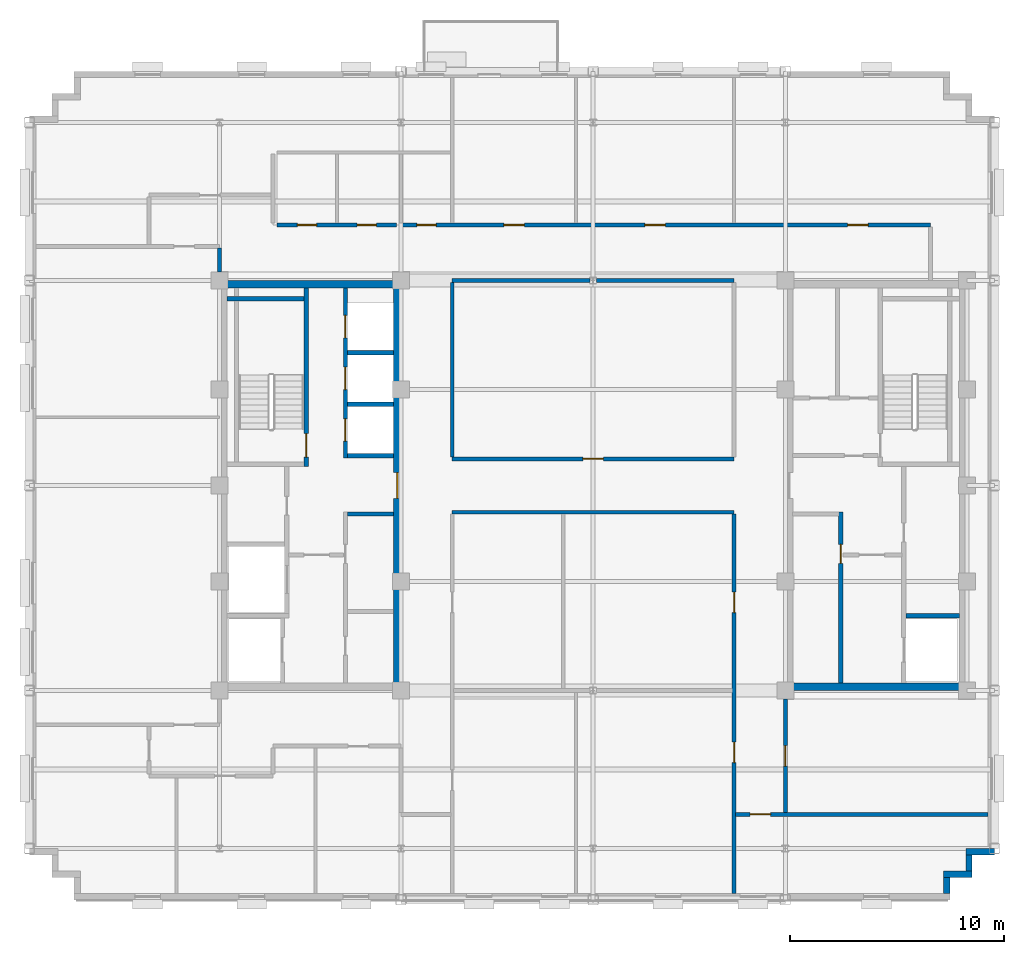
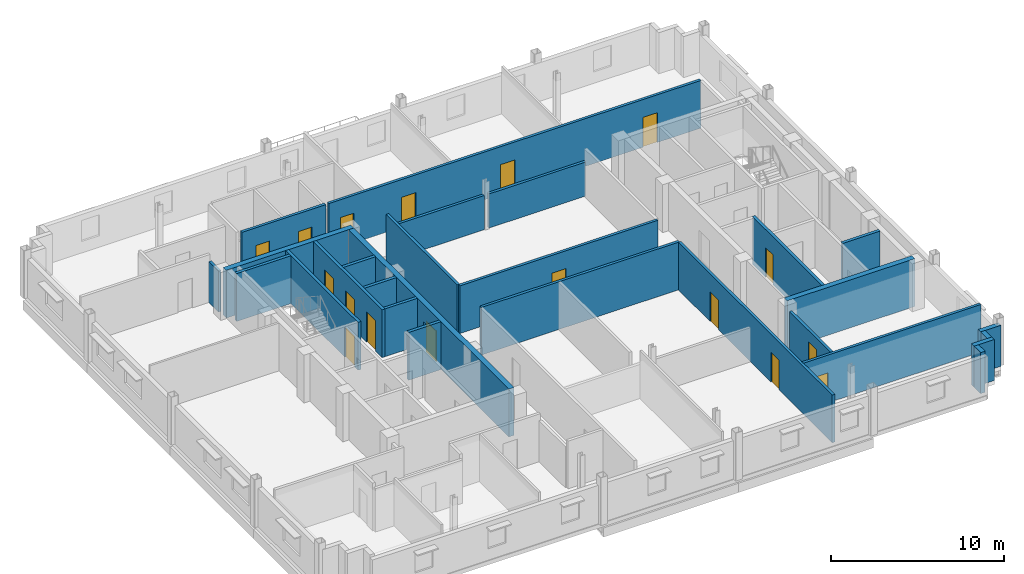
# One storey, part 7 of 14: 27 walls, 17 doors, 17 openings.
"""IFC4 building model written with IfcOpenShell, lengths in metres."""

from ifc_helpers import new_model, si_unit, direction, frame, frame_2d, origin, place, context, subcontext, project, spatial, rectangle, extrude, source, transform, mapped, material, layer, layer_set, type_object, type_shapes, element, fill, save


model = new_model("IFC4")

# Units and contexts
model_context = context("Model", 3, precision=1e-05, world=origin(), true_north=direction((0.0, 1.0)))
body_context = subcontext(model_context, "Body", "Model", "MODEL_VIEW")
ifc_project = project(units=[si_unit("LENGTHUNIT", "METRE"), si_unit("AREAUNIT", "SQUARE_METRE"), si_unit("VOLUMEUNIT", "CUBIC_METRE"), si_unit("PLANEANGLEUNIT", "RADIAN"), si_unit("MASSUNIT", "GRAM", prefix="KILO")], contexts=[model_context])

# Site, building, storey
site_placement = place(None, origin())
site = spatial("IfcSite", under=ifc_project, at=site_placement, CompositionType="ELEMENT")
building_placement = place(site_placement, origin())
building = spatial("IfcBuilding", under=site, at=building_placement, Name="Nuvemarco Arch Tower", CompositionType="ELEMENT")
storey_placement = place(building_placement, frame((0.0, 0.0, 238.35009765625)))
storey = spatial("IfcBuildingStorey", under=building, at=storey_placement, Name="L63", CompositionType="ELEMENT", Elevation=238.35009765625)

# Walls
ifc_material_1 = material(Name="Precast concrete C45/55", Category="concrete")
ifc_layer_1 = layer(ifc_material_1, 0.300048828125, Name="EW-HIGH-300")
ifc_layer_set_1 = layer_set([ifc_layer_1], Name="Precast concrete C45/55")
wall_type_1 = type_object("IfcWallType", Name="EW-HIGH-300", PredefinedType="STANDARD", material=ifc_layer_set_1)
wall_1_placement = place(storey_placement, frame((16.550048828125, -19.10400390625, 0.0), z_axis=(0.0, 0.0, 1.0), x_axis=(0.0, 1.0, 0.0)))
element("IfcWall", 1, at=wall_1_placement, inside=storey, type_object=wall_type_1, Name="L63 exterior precast facade wall 2", PredefinedType="STANDARD", context=body_context, shape_type="SweptSolid", body=[
    extrude(rectangle(XDim=0.758056640625, YDim=0.300048828125, at=frame_2d((0.37890625, 0.0))), origin(), (0.0, 0.0, 1.0), 2.891845703125),
])
wall_2_placement = place(storey_placement, frame((16.39990234375, -18.199951171875, 0.0), z_axis=(0.0, 0.0, 1.0), x_axis=(1.0, 0.0, 0.0)))
element("IfcWall", 2, at=wall_2_placement, inside=storey, type_object=wall_type_1, Name="L63 exterior precast facade wall 3", PredefinedType="STANDARD", context=body_context, shape_type="SweptSolid", body=[
    extrude(rectangle(XDim=1.35009765625, YDim=0.300048828125, at=frame_2d((0.675048828125, 0.0))), origin(), (0.0, 0.0, 1.0), 2.891845703125),
])
wall_3_placement = place(storey_placement, frame((17.60009765625, -18.053955078125, 0.0), z_axis=(0.0, 0.0, 1.0), x_axis=(0.0, 1.0, 0.0)))
element("IfcWall", 3, at=wall_3_placement, inside=storey, type_object=wall_type_1, Name="L63 exterior precast facade wall 4", PredefinedType="STANDARD", context=body_context, shape_type="SweptSolid", body=[
    extrude(rectangle(XDim=0.758056640625, YDim=0.300048828125, at=frame_2d((0.37890625, 0.0))), origin(), (0.0, 0.0, 1.0), 2.891845703125),
])
wall_4_placement = place(storey_placement, frame((17.449951171875, -17.14990234375, 0.0), z_axis=(0.0, 0.0, 1.0), x_axis=(1.0, 0.0, 0.0)))
element("IfcWall", 4, at=wall_4_placement, inside=storey, type_object=wall_type_1, Name="L63 exterior precast facade wall 5", PredefinedType="STANDARD", context=body_context, shape_type="SweptSolid", body=[
    extrude(rectangle(XDim=1.35009765625, YDim=0.300048828125, at=frame_2d((0.675048828125, 0.0))), origin(), (0.0, 0.0, 1.0), 2.891845703125),
])
ifc_material_2 = material(Name="Concrete C50/60", Category="concrete")
ifc_layer_2 = layer(ifc_material_2, 0.35009765625, Name="WL-CORE-350")
ifc_layer_set_2 = layer_set([ifc_layer_2], Name="Concrete C50/60")
wall_type_2 = type_object("IfcWallType", Name="WL-CORE-350", PredefinedType="SHEAR", material=ifc_layer_set_2)
wall_5_placement = place(storey_placement, frame((-17.5, 9.425048828125, 0.0), z_axis=(0.0, 0.0, 1.0), x_axis=(1.0, 0.0, 0.0)))
element("IfcWall", 5, at=wall_5_placement, inside=storey, type_object=wall_type_2, Name="L63 W-core shear wall N", PredefinedType="SHEAR", context=body_context, shape_type="SweptSolid", body=[
    extrude(rectangle(XDim=8.5, YDim=0.35009765625, at=frame_2d((4.25, 0.0))), origin(), (0.0, 0.0, 1.0), 3.369873046875),
])

# Wall, opening, door
wall_6_placement = place(storey_placement, frame((-9.175048828125, -9.2548828125, 0.0), z_axis=(0.0, 0.0, 1.0), x_axis=(0.0, 1.0, 0.0)))
wall_6 = element("IfcWall", 6, at=wall_6_placement, inside=storey, type_object=wall_type_2, Name="L63 W-core shear wall E", PredefinedType="SHEAR", context=body_context, shape_type="SweptSolid", body=[
    extrude(rectangle(XDim=18.509765625, YDim=0.35009765625, at=frame_2d((9.2548828125, 0.0))), origin(), (0.0, 0.0, 1.0), 3.369873046875),
])
opening_1_placement = place(wall_6_placement, frame((8.655029296875, 0.0, 0.0)))
opening_1 = element("IfcOpeningElement", 7, at=opening_1_placement, cuts=wall_6, Name="Opening FD-2", PredefinedType="OPENING", context=body_context, shape_type="SweptSolid", body=[
    extrude(rectangle(XDim=1.199951171875, YDim=2.14990234375, at=frame_2d((0.60009765625, 1.074951171875))), frame((0.0, 0.18505859375, 0.0), z_axis=(0.0, -1.0, 0.0), x_axis=(1.0, 0.0, 0.0)), (0.0, 0.0, 1.0), 0.3701171875),
])
ifc_material_3 = material(Name="Anodised steel fire door", Category="steel")
door_type_1 = type_object("IfcDoorType", Name="DR-FFLOB-FD", OperationType="NOTDEFINED", PredefinedType="DOOR", material=ifc_material_3)
shared_shape_1 = source(origin(), body_context, "Body", "SweptSolid", [
    extrude(rectangle(XDim=1.199951171875, YDim=2.14990234375, at=frame_2d((0.60009765625, 1.074951171875))), frame((0.0, 0.02490234375, 0.0), z_axis=(0.0, -1.0, 0.0), x_axis=(1.0, 0.0, 0.0)), (0.0, 0.0, 1.0), 0.050048828125),
])
type_shapes(door_type_1, [shared_shape_1])
door_1_placement = place(opening_1_placement, origin())
door_1 = element("IfcDoor", 8, at=door_1_placement, inside=storey, type_object=door_type_1, Name="L63 door FD-L63-WCORE-E", OperationType="SINGLE_SWING_RIGHT", OverallHeight=2.14990234375, OverallWidth=1.199951171875, PredefinedType="DOOR", context=body_context, shape_type="MappedRepresentation", body=[
    mapped(shared_shape_1, transform((0.0, 0.0, 0.0), scale=1.0)),
])
fill(opening_1, door_1)

# Wall
wall_7_placement = place(storey_placement, frame((9.0, -9.425048828125, 0.0), z_axis=(0.0, 0.0, 1.0), x_axis=(1.0, 0.0, 0.0)))
element("IfcWall", 9, at=wall_7_placement, inside=storey, type_object=wall_type_2, Name="L63 E-core shear wall S", PredefinedType="SHEAR", context=body_context, shape_type="SweptSolid", body=[
    extrude(rectangle(XDim=8.5, YDim=0.35009765625, at=frame_2d((4.25, 0.0))), origin(), (0.0, 0.0, 1.0), 3.369873046875),
])

# Wall, opening, door
ifc_material_4 = material(Name="Fire-rated gypsum drywall partition")
ifc_layer_3 = layer(ifc_material_4, 0.179931640625, Name="WL-CORR-180")
ifc_layer_set_3 = layer_set([ifc_layer_3], Name="Fire-rated gypsum drywall partition")
wall_type_3 = type_object("IfcWallType", Name="WL-CORR-180", PredefinedType="PARTITIONING", material=ifc_layer_set_3)
wall_8_placement = place(storey_placement, frame((6.666015625, -15.39990234375, 0.0), z_axis=(0.0, 0.0, 1.0), x_axis=(1.0, 0.0, 0.0)))
wall_8 = element("IfcWall", 10, at=wall_8_placement, inside=storey, type_object=wall_type_3, Name="L63 interior wall IW-L63-002", PredefinedType="PARTITIONING", context=body_context, shape_type="SweptSolid", body=[
    extrude(rectangle(XDim=11.833984375, YDim=0.179931640625, at=frame_2d((5.9169921875, 0.0))), origin(), (0.0, 0.0, 1.0), 3.35986328125),
])
opening_2_placement = place(wall_8_placement, frame((0.68701171875, 0.0, 0.0)))
opening_2 = element("IfcOpeningElement", 11, at=opening_2_placement, cuts=wall_8, Name="Opening FD-5", PredefinedType="OPENING", context=body_context, shape_type="SweptSolid", body=[
    extrude(rectangle(XDim=0.9599609375, YDim=2.10009765625, at=frame_2d((0.47998046875, 1.050048828125))), frame((0.0, 0.099853515625, 0.0), z_axis=(0.0, -1.0, 0.0), x_axis=(1.0, 0.0, 0.0)), (0.0, 0.0, 1.0), 0.199951171875),
])
ifc_material_5 = material(Name="Timber fire door", Category="wood")
door_type_2 = type_object("IfcDoorType", Name="DR-CORR-FD", OperationType="NOTDEFINED", PredefinedType="DOOR", material=ifc_material_5)
shared_shape_2 = source(origin(), body_context, "Body", "SweptSolid", [
    extrude(rectangle(XDim=0.9599609375, YDim=2.10009765625, at=frame_2d((0.47998046875, 1.050048828125))), frame((0.0, 0.02490234375, 0.0), z_axis=(0.0, -1.0, 0.0), x_axis=(1.0, 0.0, 0.0)), (0.0, 0.0, 1.0), 0.050048828125),
])
type_shapes(door_type_2, [shared_shape_2])
door_2_placement = place(opening_2_placement, origin())
door_2 = element("IfcDoor", 12, at=door_2_placement, inside=storey, type_object=door_type_2, Name="L63 door DR-L63-S_7", OperationType="SINGLE_SWING_RIGHT", OverallHeight=2.10009765625, OverallWidth=0.9599609375, PredefinedType="DOOR", context=body_context, shape_type="MappedRepresentation", body=[
    mapped(shared_shape_2, transform((0.0, 0.0, 0.0), scale=1.0)),
])
fill(opening_2, door_2)

# Wall
wall_9_placement = place(storey_placement, frame((-6.60009765625, -1.25, 0.0), z_axis=(0.0, 0.0, 1.0), x_axis=(1.0, 0.0, 0.0)))
element("IfcWall", 13, at=wall_9_placement, inside=storey, type_object=wall_type_3, Name="L63 interior wall IW-L63-008", PredefinedType="PARTITIONING", context=body_context, shape_type="SweptSolid", body=[
    extrude(rectangle(XDim=13.2001953125, YDim=0.179931640625, at=frame_2d((6.60009765625, 0.0))), origin(), (0.0, 0.0, 1.0), 3.35986328125),
])

# Wall, opening, door
wall_10_placement = place(storey_placement, frame((-6.60009765625, 1.25, 0.0), z_axis=(0.0, 0.0, 1.0), x_axis=(1.0, 0.0, 0.0)))
wall_10 = element("IfcWall", 14, at=wall_10_placement, inside=storey, type_object=wall_type_3, Name="L63 interior wall IW-L63-009", PredefinedType="PARTITIONING", context=body_context, shape_type="SweptSolid", body=[
    extrude(rectangle(XDim=13.2001953125, YDim=0.179931640625, at=frame_2d((6.60009765625, 0.0))), origin(), (0.0, 0.0, 1.0), 3.35986328125),
])
opening_3_placement = place(wall_10_placement, frame((6.1201171875, 0.0, 0.0)))
opening_3 = element("IfcOpeningElement", 15, at=opening_3_placement, cuts=wall_10, Name="Opening FD-5", PredefinedType="OPENING", context=body_context, shape_type="SweptSolid", body=[
    extrude(rectangle(XDim=0.9599609375, YDim=2.10009765625, at=frame_2d((0.47998046875, 1.050048828125))), frame((0.0, 0.099853515625, 0.0), z_axis=(0.0, -1.0, 0.0), x_axis=(1.0, 0.0, 0.0)), (0.0, 0.0, 1.0), 0.199951171875),
])
door_3_placement = place(opening_3_placement, origin())
door_3 = element("IfcDoor", 16, at=door_3_placement, inside=storey, type_object=door_type_2, Name="L63 door DR-L63-C_N1", OperationType="SINGLE_SWING_LEFT", OverallHeight=2.10009765625, OverallWidth=0.9599609375, PredefinedType="DOOR", context=body_context, shape_type="MappedRepresentation", body=[
    mapped(shared_shape_2, transform((0.0, 0.0, 0.0), scale=1.0)),
])
fill(opening_3, door_3)

# Walls
for number, where, z_axis, x_axis, name in (
    (17, (-6.60009765625, 9.60009765625, 0.0), (0.0, 0.0, 1.0), (1.0, 0.0, 0.0), "L63 interior wall IW-L63-011"),
    (18, (0.15087890625, 9.60009765625, 0.0), (0.0, 0.0, 1.0), (1.0, 0.0, 0.0), "L63 interior wall IW-L63-012"),
):
    element("IfcWall", number, at=place(storey_placement, frame(where, z_axis=z_axis, x_axis=x_axis)), inside=storey, type_object=wall_type_3, Name=name, PredefinedType="PARTITIONING", context=body_context, shape_type="SweptSolid", body=[
        extrude(rectangle(XDim=6.44921875, YDim=0.179931640625, at=frame_2d((3.224609375, 0.0))), origin(), (0.0, 0.0, 1.0), 2.40478515625),
    ])

# Wall, openings, doors
wall_11_placement = place(storey_placement, frame((-14.800048828125, 12.199951171875, 0.0), z_axis=(0.0, 0.0, 1.0), x_axis=(1.0, 0.0, 0.0)))
wall_11 = element("IfcWall", 19, at=wall_11_placement, inside=storey, type_object=wall_type_3, Name="L63 interior wall IW-L63-014", PredefinedType="PARTITIONING", context=body_context, shape_type="SweptSolid", body=[
    extrude(rectangle(XDim=5.60009765625, YDim=0.179931640625, at=frame_2d((2.800048828125, 0.0))), origin(), (0.0, 0.0, 1.0), 3.35986328125),
])
opening_4_placement = place(wall_11_placement, frame((0.949951171875, 0.0, 0.0)))
opening_4 = element("IfcOpeningElement", 20, at=opening_4_placement, cuts=wall_11, Name="Opening ID-3", PredefinedType="OPENING", context=body_context, shape_type="SweptSolid", body=[
    extrude(rectangle(XDim=0.89990234375, YDim=2.10009765625, at=frame_2d((0.449951171875, 1.050048828125))), frame((0.0, 0.099853515625, 0.0), z_axis=(0.0, -1.0, 0.0), x_axis=(1.0, 0.0, 0.0)), (0.0, 0.0, 1.0), 0.199951171875),
])
opening_5_placement = place(wall_11_placement, frame((3.75, 0.0, 0.0)))
opening_5 = element("IfcOpeningElement", 21, at=opening_5_placement, cuts=wall_11, Name="Opening ID-3", PredefinedType="OPENING", context=body_context, shape_type="SweptSolid", body=[
    extrude(rectangle(XDim=0.89990234375, YDim=2.10009765625, at=frame_2d((0.449951171875, 1.050048828125))), frame((0.0, 0.099853515625, 0.0), z_axis=(0.0, -1.0, 0.0), x_axis=(1.0, 0.0, 0.0)), (0.0, 0.0, 1.0), 0.199951171875),
])
ifc_material_6 = material(Name="Veneered oak timber fire door", Category="wood")
door_type_3 = type_object("IfcDoorType", Name="DR-WC-ACC", OperationType="NOTDEFINED", PredefinedType="DOOR", material=ifc_material_6)
shared_shape_3 = source(origin(), body_context, "Body", "SweptSolid", [
    extrude(rectangle(XDim=0.89990234375, YDim=2.10009765625, at=frame_2d((0.449951171875, 1.050048828125))), frame((0.0, 0.02490234375, 0.0), z_axis=(0.0, -1.0, 0.0), x_axis=(1.0, 0.0, 0.0)), (0.0, 0.0, 1.0), 0.050048828125),
])
type_shapes(door_type_3, [shared_shape_3])
door_4_placement = place(opening_4_placement, origin())
door_4 = element("IfcDoor", 22, at=door_4_placement, inside=storey, type_object=door_type_3, Name="L63 door DR-L63-WC_M", OperationType="SINGLE_SWING_LEFT", OverallHeight=2.10009765625, OverallWidth=0.89990234375, PredefinedType="DOOR", context=body_context, shape_type="MappedRepresentation", body=[
    mapped(shared_shape_3, transform((0.0, 0.0, 0.0), scale=1.0)),
])
fill(opening_4, door_4)
door_5_placement = place(opening_5_placement, origin())
door_5 = element("IfcDoor", 23, at=door_5_placement, inside=storey, type_object=door_type_3, Name="L63 door DR-L63-WC_F", OperationType="SINGLE_SWING_RIGHT", OverallHeight=2.10009765625, OverallWidth=0.89990234375, PredefinedType="DOOR", context=body_context, shape_type="MappedRepresentation", body=[
    mapped(shared_shape_3, transform((0.0, 0.0, 0.0), scale=1.0)),
])
fill(opening_5, door_5)

wall_12_placement = place(storey_placement, frame((-9.0, 12.199951171875, 0.0), z_axis=(0.0, 0.0, 1.0), x_axis=(1.0, 0.0, 0.0)))
wall_12 = element("IfcWall", 24, at=wall_12_placement, inside=storey, type_object=wall_type_3, Name="L63 interior wall IW-L63-015", PredefinedType="PARTITIONING", context=body_context, shape_type="SweptSolid", body=[
    extrude(rectangle(XDim=24.800048828125, YDim=0.179931640625, at=frame_2d((12.39990234375, 0.0))), origin(), (0.0, 0.0, 1.0), 3.35986328125),
])
opening_6_placement = place(wall_12_placement, frame((11.419921875, 0.0, 0.0)))
opening_6 = element("IfcOpeningElement", 25, at=opening_6_placement, cuts=wall_12, Name="Opening FD-5", PredefinedType="OPENING", context=body_context, shape_type="SweptSolid", body=[
    extrude(rectangle(XDim=0.9599609375, YDim=2.10009765625, at=frame_2d((0.47998046875, 1.050048828125))), frame((0.0, 0.099853515625, 0.0), z_axis=(0.0, -1.0, 0.0), x_axis=(1.0, 0.0, 0.0)), (0.0, 0.0, 1.0), 0.199951171875),
])
opening_7_placement = place(wall_12_placement, frame((20.919921875, 0.0, 0.0)))
opening_7 = element("IfcOpeningElement", 26, at=opening_7_placement, cuts=wall_12, Name="Opening FD-5", PredefinedType="OPENING", context=body_context, shape_type="SweptSolid", body=[
    extrude(rectangle(XDim=0.9599609375, YDim=2.10009765625, at=frame_2d((0.47998046875, 1.050048828125))), frame((0.0, 0.099853515625, 0.0), z_axis=(0.0, -1.0, 0.0), x_axis=(1.0, 0.0, 0.0)), (0.0, 0.0, 1.0), 0.199951171875),
])
opening_8_placement = place(wall_12_placement, frame((4.820068359375, 0.0, 0.0)))
opening_8 = element("IfcOpeningElement", 27, at=opening_8_placement, cuts=wall_12, Name="Opening FD-5", PredefinedType="OPENING", context=body_context, shape_type="SweptSolid", body=[
    extrude(rectangle(XDim=0.9599609375, YDim=2.10009765625, at=frame_2d((0.47998046875, 1.050048828125))), frame((0.0, 0.099853515625, 0.0), z_axis=(0.0, -1.0, 0.0), x_axis=(1.0, 0.0, 0.0)), (0.0, 0.0, 1.0), 0.199951171875),
])
opening_9_placement = place(wall_12_placement, frame((0.75, 0.0, 0.0)))
opening_9 = element("IfcOpeningElement", 28, at=opening_9_placement, cuts=wall_12, Name="Opening ID-3", PredefinedType="OPENING", context=body_context, shape_type="SweptSolid", body=[
    extrude(rectangle(XDim=0.89990234375, YDim=2.10009765625, at=frame_2d((0.449951171875, 1.050048828125))), frame((0.0, 0.099853515625, 0.0), z_axis=(0.0, -1.0, 0.0), x_axis=(1.0, 0.0, 0.0)), (0.0, 0.0, 1.0), 0.199951171875),
])
door_6_placement = place(opening_6_placement, origin())
door_6 = element("IfcDoor", 29, at=door_6_placement, inside=storey, type_object=door_type_2, Name="L63 door DR-L63-N_3", OperationType="SINGLE_SWING_RIGHT", OverallHeight=2.10009765625, OverallWidth=0.9599609375, PredefinedType="DOOR", context=body_context, shape_type="MappedRepresentation", body=[
    mapped(shared_shape_2, transform((0.0, 0.0, 0.0), scale=1.0)),
])
fill(opening_6, door_6)
door_7_placement = place(opening_7_placement, origin())
door_7 = element("IfcDoor", 30, at=door_7_placement, inside=storey, type_object=door_type_2, Name="L63 door DR-L63-N_4", OperationType="SINGLE_SWING_LEFT", OverallHeight=2.10009765625, OverallWidth=0.9599609375, PredefinedType="DOOR", context=body_context, shape_type="MappedRepresentation", body=[
    mapped(shared_shape_2, transform((0.0, 0.0, 0.0), scale=1.0)),
])
fill(opening_7, door_7)
door_8_placement = place(opening_8_placement, origin())
door_8 = element("IfcDoor", 31, at=door_8_placement, inside=storey, type_object=door_type_2, Name="L63 door DR-L63-N_2", OperationType="SINGLE_SWING_LEFT", OverallHeight=2.10009765625, OverallWidth=0.9599609375, PredefinedType="DOOR", context=body_context, shape_type="MappedRepresentation", body=[
    mapped(shared_shape_2, transform((0.0, 0.0, 0.0), scale=1.0)),
])
fill(opening_8, door_8)
door_9_placement = place(opening_9_placement, origin())
door_9 = element("IfcDoor", 32, at=door_9_placement, inside=storey, type_object=door_type_3, Name="L63 door DR-L63-WC_ACC", OperationType="SINGLE_SWING_LEFT", OverallHeight=2.10009765625, OverallWidth=0.89990234375, PredefinedType="DOOR", context=body_context, shape_type="MappedRepresentation", body=[
    mapped(shared_shape_3, transform((0.0, 0.0, 0.0), scale=1.0)),
])
fill(opening_9, door_9)

# Walls
wall_13_placement = place(storey_placement, frame((-17.5, 9.99609375, 0.0), z_axis=(0.0, 0.0, 1.0), x_axis=(0.0, 1.0, 0.0)))
element("IfcWall", 33, at=wall_13_placement, inside=storey, type_object=wall_type_3, Name="L63 interior wall IW-L63-022", PredefinedType="PARTITIONING", context=body_context, shape_type="SweptSolid", body=[
    extrude(rectangle(XDim=1.117919921875, YDim=0.179931640625, at=frame_2d((0.55908203125, 0.0))), origin(), (0.0, 0.0, 1.0), 2.891845703125),
])
wall_14_placement = place(storey_placement, frame((-6.60009765625, 1.3359375, 0.0), z_axis=(0.0, 0.0, 1.0), x_axis=(0.0, 1.0, 0.0)))
element("IfcWall", 34, at=wall_14_placement, inside=storey, type_object=wall_type_3, Name="L63 interior wall IW-L63-030", PredefinedType="PARTITIONING", context=body_context, shape_type="SweptSolid", body=[
    extrude(rectangle(XDim=8.177978515625, YDim=0.179931640625, at=frame_2d((4.0888671875, 0.0))), origin(), (0.0, 0.0, 1.0), 3.35986328125),
])

# Wall, openings, doors
wall_15_placement = place(storey_placement, frame((6.60009765625, -19.10009765625, 0.0), z_axis=(0.0, 0.0, 1.0), x_axis=(0.0, 1.0, 0.0)))
wall_15 = element("IfcWall", 35, at=wall_15_placement, inside=storey, type_object=wall_type_3, Name="L63 interior wall IW-L63-035", PredefinedType="PARTITIONING", context=body_context, shape_type="SweptSolid", body=[
    extrude(rectangle(XDim=17.76416015625, YDim=0.179931640625, at=frame_2d((8.882080078125, 0.0))), origin(), (0.0, 0.0, 1.0), 3.35986328125),
])
opening_10_placement = place(wall_15_placement, frame((13.152099609375, 0.0, 0.0)))
opening_10 = element("IfcOpeningElement", 36, at=opening_10_placement, cuts=wall_15, Name="Opening FD-5", PredefinedType="OPENING", context=body_context, shape_type="SweptSolid", body=[
    extrude(rectangle(XDim=0.9599609375, YDim=2.10009765625, at=frame_2d((0.47998046875, 1.050048828125))), frame((0.0, 0.099853515625, 0.0), z_axis=(0.0, -1.0, 0.0), x_axis=(1.0, 0.0, 0.0)), (0.0, 0.0, 1.0), 0.199951171875),
])
opening_11_placement = place(wall_15_placement, frame((6.1201171875, 0.0, 0.0)))
opening_11 = element("IfcOpeningElement", 37, at=opening_11_placement, cuts=wall_15, Name="Opening FD-5", PredefinedType="OPENING", context=body_context, shape_type="SweptSolid", body=[
    extrude(rectangle(XDim=0.9599609375, YDim=2.10009765625, at=frame_2d((0.47998046875, 1.050048828125))), frame((0.0, 0.099853515625, 0.0), z_axis=(0.0, -1.0, 0.0), x_axis=(1.0, 0.0, 0.0)), (0.0, 0.0, 1.0), 0.199951171875),
])
door_10_placement = place(opening_10_placement, origin())
door_10 = element("IfcDoor", 38, at=door_10_placement, inside=storey, type_object=door_type_2, Name="L63 door DR-L63-C_S2", OperationType="SINGLE_SWING_LEFT", OverallHeight=2.10009765625, OverallWidth=0.9599609375, PredefinedType="DOOR", context=body_context, shape_type="MappedRepresentation", body=[
    mapped(shared_shape_2, transform((0.0, 0.0, 0.0), scale=1.0)),
])
fill(opening_10, door_10)
door_11_placement = place(opening_11_placement, origin())
door_11 = element("IfcDoor", 39, at=door_11_placement, inside=storey, type_object=door_type_2, Name="L63 door DR-L63-S_5", OperationType="SINGLE_SWING_RIGHT", OverallHeight=2.10009765625, OverallWidth=0.9599609375, PredefinedType="DOOR", context=body_context, shape_type="MappedRepresentation", body=[
    mapped(shared_shape_2, transform((0.0, 0.0, 0.0), scale=1.0)),
])
fill(opening_11, door_11)

# Wall, opening, door
wall_16_placement = place(storey_placement, frame((9.0, -15.31396484375, 0.0), z_axis=(0.0, 0.0, 1.0), x_axis=(0.0, 1.0, 0.0)))
wall_16 = element("IfcWall", 40, at=wall_16_placement, inside=storey, type_object=wall_type_3, Name="L63 interior wall IW-L63-038", PredefinedType="PARTITIONING", context=body_context, shape_type="SweptSolid", body=[
    extrude(rectangle(XDim=5.31787109375, YDim=0.179931640625, at=frame_2d((2.658935546875, 0.0))), origin(), (0.0, 0.0, 1.0), 2.891845703125),
])
opening_12_placement = place(wall_16_placement, frame((2.178955078125, 0.0, 0.0)))
opening_12 = element("IfcOpeningElement", 41, at=opening_12_placement, cuts=wall_16, Name="Opening FD-5", PredefinedType="OPENING", context=body_context, shape_type="SweptSolid", body=[
    extrude(rectangle(XDim=0.9599609375, YDim=2.10009765625, at=frame_2d((0.47998046875, 1.050048828125))), frame((0.0, 0.099853515625, 0.0), z_axis=(0.0, -1.0, 0.0), x_axis=(1.0, 0.0, 0.0)), (0.0, 0.0, 1.0), 0.199951171875),
])
door_12_placement = place(opening_12_placement, origin())
door_12 = element("IfcDoor", 42, at=door_12_placement, inside=storey, type_object=door_type_2, Name="L63 door DR-L63-S_6", OperationType="SINGLE_SWING_LEFT", OverallHeight=2.10009765625, OverallWidth=0.9599609375, PredefinedType="DOOR", context=body_context, shape_type="MappedRepresentation", body=[
    mapped(shared_shape_2, transform((0.0, 0.0, 0.0), scale=1.0)),
])
fill(opening_12, door_12)

ifc_layer_4 = layer(ifc_material_2, 0.199951171875, Name="WL-SHAFT-220")
ifc_layer_set_4 = layer_set([ifc_layer_4], Name="Concrete C50/60")
wall_type_4 = type_object("IfcWallType", Name="WL-SHAFT-220", PredefinedType="SHEAR", material=ifc_layer_set_4)
wall_17_placement = place(storey_placement, frame((-13.43994140625, 0.89990234375, 0.0), z_axis=(0.0, 0.0, 1.0), x_axis=(0.0, 1.0, 0.0)))
wall_17 = element("IfcWall", 43, at=wall_17_placement, inside=storey, type_object=wall_type_4, Name="L63 structural shaft wall SW-L63-W-ST1E", PredefinedType="SHEAR", context=body_context, shape_type="SweptSolid", body=[
    extrude(rectangle(XDim=8.35498046875, YDim=0.199951171875, at=frame_2d((4.177490234375, 0.0))), origin(), (0.0, 0.0, 1.0), 3.369873046875),
])
opening_13_placement = place(wall_17_placement, frame((1.530029296875, 0.0, 0.0), z_axis=(0.0, 0.0, 1.0), x_axis=(-1.0, 0.0, 0.0)))
opening_13 = element("IfcOpeningElement", 44, at=opening_13_placement, cuts=wall_17, Name="Opening FD-1", PredefinedType="OPENING", context=body_context, shape_type="SweptSolid", body=[
    extrude(rectangle(XDim=1.10009765625, YDim=2.14990234375, at=frame_2d((0.550048828125, 1.074951171875))), frame((0.0, 0.10986328125, 0.0), z_axis=(0.0, -1.0, 0.0), x_axis=(1.0, 0.0, 0.0)), (0.0, 0.0, 1.0), 0.219970703125),
])
door_type_4 = type_object("IfcDoorType", Name="DR-STAIR-FD", OperationType="NOTDEFINED", PredefinedType="DOOR", material=ifc_material_3)
shared_shape_4 = source(origin(), body_context, "Body", "SweptSolid", [
    extrude(rectangle(XDim=1.10009765625, YDim=2.14990234375, at=frame_2d((0.550048828125, 1.074951171875))), frame((0.0, 0.02490234375, 0.0), z_axis=(0.0, -1.0, 0.0), x_axis=(1.0, 0.0, 0.0)), (0.0, 0.0, 1.0), 0.050048828125),
])
type_shapes(door_type_4, [shared_shape_4])
door_13_placement = place(opening_13_placement, origin())
door_13 = element("IfcDoor", 45, at=door_13_placement, inside=storey, type_object=door_type_4, Name="L63 door FD-L63-ST1", OperationType="SINGLE_SWING_LEFT", OverallHeight=2.14990234375, OverallWidth=1.10009765625, PredefinedType="DOOR", context=body_context, shape_type="MappedRepresentation", body=[
    mapped(shared_shape_4, transform((0.0, 0.0, 0.0), scale=1.0)),
])
fill(opening_13, door_13)

# Walls
wall_18_placement = place(storey_placement, frame((-17.155029296875, 8.75, 0.0), z_axis=(0.0, 0.0, 1.0), x_axis=(1.0, 0.0, 0.0)))
element("IfcWall", 46, at=wall_18_placement, inside=storey, type_object=wall_type_4, Name="L63 structural shaft wall SW-L63-W-ST1N", PredefinedType="SHEAR", context=body_context, shape_type="SweptSolid", body=[
    extrude(rectangle(XDim=3.6201171875, YDim=0.199951171875, at=frame_2d((1.81005859375, 0.0))), origin(), (0.0, 0.0, 1.0), 3.369873046875),
])
wall_19_placement = place(storey_placement, frame((-11.5048828125, -1.330078125, 0.0), z_axis=(0.0, 0.0, 1.0), x_axis=(1.0, 0.0, 0.0)))
element("IfcWall", 47, at=wall_19_placement, inside=storey, type_object=wall_type_4, Name="L63 structural shaft wall SW-L63-W-PLTOP", PredefinedType="SHEAR", context=body_context, shape_type="SweptSolid", body=[
    extrude(rectangle(XDim=2.159912109375, YDim=0.199951171875, at=frame_2d((1.080078125, 0.0))), origin(), (0.0, 0.0, 1.0), 3.369873046875),
])

# Wall, openings, doors
wall_20_placement = place(storey_placement, frame((-11.60009765625, 1.300048828125, 0.0), z_axis=(0.0, 0.0, 1.0), x_axis=(0.0, 1.0, 0.0)))
wall_20 = element("IfcWall", 48, at=wall_20_placement, inside=storey, type_object=wall_type_4, Name="L63 structural shaft wall SW-L63-W-PHW", PredefinedType="SHEAR", context=body_context, shape_type="SweptSolid", body=[
    extrude(rectangle(XDim=7.954833984375, YDim=0.199951171875, at=frame_2d((3.9775390625, 0.0))), origin(), (0.0, 0.0, 1.0), 3.369873046875),
])
opening_14_placement = place(wall_20_placement, frame((0.77490234375, 0.0, 0.0)))
opening_14 = element("IfcOpeningElement", 49, at=opening_14_placement, cuts=wall_20, Name="Opening LD-1", PredefinedType="OPENING", context=body_context, shape_type="SweptSolid", body=[
    extrude(rectangle(XDim=1.050048828125, YDim=2.14990234375, at=frame_2d((0.52490234375, 1.074951171875))), frame((0.0, 0.10986328125, 0.0), z_axis=(0.0, -1.0, 0.0), x_axis=(1.0, 0.0, 0.0)), (0.0, 0.0, 1.0), 0.219970703125),
])
opening_15_placement = place(wall_20_placement, frame((3.195068359375, 0.0, 0.0)))
opening_15 = element("IfcOpeningElement", 50, at=opening_15_placement, cuts=wall_20, Name="Opening LD-1", PredefinedType="OPENING", context=body_context, shape_type="SweptSolid", body=[
    extrude(rectangle(XDim=1.050048828125, YDim=2.14990234375, at=frame_2d((0.52490234375, 1.074951171875))), frame((0.0, 0.10986328125, 0.0), z_axis=(0.0, -1.0, 0.0), x_axis=(1.0, 0.0, 0.0)), (0.0, 0.0, 1.0), 0.219970703125),
])
opening_16_placement = place(wall_20_placement, frame((5.614990234375, 0.0, 0.0)))
opening_16 = element("IfcOpeningElement", 51, at=opening_16_placement, cuts=wall_20, Name="Opening LD-1", PredefinedType="OPENING", context=body_context, shape_type="SweptSolid", body=[
    extrude(rectangle(XDim=1.050048828125, YDim=2.14990234375, at=frame_2d((0.52490234375, 1.074951171875))), frame((0.0, 0.10986328125, 0.0), z_axis=(0.0, -1.0, 0.0), x_axis=(1.0, 0.0, 0.0)), (0.0, 0.0, 1.0), 0.219970703125),
])
ifc_material_7 = material(Name="Stainless steel lift door", Category="steel")
door_type_5 = type_object("IfcDoorType", Name="DR-LIFT-PASS", OperationType="DOUBLE_DOOR_SLIDING", PredefinedType="DOOR", material=ifc_material_7)
shared_shape_5 = source(origin(), body_context, "Body", "SweptSolid", [
    extrude(rectangle(XDim=1.050048828125, YDim=2.14990234375, at=frame_2d((0.52490234375, 1.074951171875))), frame((0.0, 0.02490234375, 0.0), z_axis=(0.0, -1.0, 0.0), x_axis=(1.0, 0.0, 0.0)), (0.0, 0.0, 1.0), 0.050048828125),
])
type_shapes(door_type_5, [shared_shape_5])
door_14_placement = place(opening_14_placement, origin())
door_14 = element("IfcDoor", 52, at=door_14_placement, inside=storey, type_object=door_type_5, Name="L63 Lift landing sliding door PH-1", OperationType="DOUBLE_DOOR_SLIDING", OverallHeight=2.14990234375, OverallWidth=1.050048828125, PredefinedType="DOOR", context=body_context, shape_type="MappedRepresentation", body=[
    mapped(shared_shape_5, transform((0.0, 0.0, 0.0), scale=1.0)),
])
fill(opening_14, door_14)
door_15_placement = place(opening_15_placement, origin())
door_15 = element("IfcDoor", 53, at=door_15_placement, inside=storey, type_object=door_type_5, Name="L63 Lift landing sliding door PH-2", OperationType="DOUBLE_DOOR_SLIDING", OverallHeight=2.14990234375, OverallWidth=1.050048828125, PredefinedType="DOOR", context=body_context, shape_type="MappedRepresentation", body=[
    mapped(shared_shape_5, transform((0.0, 0.0, 0.0), scale=1.0)),
])
fill(opening_15, door_15)
door_16_placement = place(opening_16_placement, origin())
door_16 = element("IfcDoor", 54, at=door_16_placement, inside=storey, type_object=door_type_5, Name="L63 Lift landing sliding door PH-3", OperationType="DOUBLE_DOOR_SLIDING", OverallHeight=2.14990234375, OverallWidth=1.050048828125, PredefinedType="DOOR", context=body_context, shape_type="MappedRepresentation", body=[
    mapped(shared_shape_5, transform((0.0, 0.0, 0.0), scale=1.0)),
])
fill(opening_16, door_16)

# Walls
for number, where, z_axis, x_axis, name in (
    (55, (-11.5048828125, 1.39990234375, 0.0), (0.0, 0.0, 1.0), (1.0, 0.0, 0.0), "L63 structural shaft wall SW-L63-W-PHD1"),
    (56, (-11.5048828125, 3.800048828125, 0.0), (0.0, 0.0, 1.0), (1.0, 0.0, 0.0), "L63 structural shaft wall SW-L63-W-PHD2"),
    (57, (-11.5048828125, 6.219970703125, 0.0), (0.0, 0.0, 1.0), (1.0, 0.0, 0.0), "L63 structural shaft wall SW-L63-W-PHD3"),
):
    element("IfcWall", number, at=place(storey_placement, frame(where, z_axis=z_axis, x_axis=x_axis)), inside=storey, type_object=wall_type_4, Name=name, PredefinedType="SHEAR", context=body_context, shape_type="SweptSolid", body=[
        extrude(rectangle(XDim=2.159912109375, YDim=0.199951171875, at=frame_2d((1.080078125, 0.0))), origin(), (0.0, 0.0, 1.0), 3.369873046875),
    ])
wall_21_placement = place(storey_placement, frame((14.64501953125, -6.10009765625, 0.0), z_axis=(0.0, 0.0, 1.0), x_axis=(1.0, 0.0, 0.0)))
element("IfcWall", 58, at=wall_21_placement, inside=storey, type_object=wall_type_4, Name="L63 structural shaft wall SW-L63-E-SH1", PredefinedType="SHEAR", context=body_context, shape_type="SweptSolid", body=[
    extrude(rectangle(XDim=2.510009765625, YDim=0.199951171875, at=frame_2d((1.2548828125, 0.0))), origin(), (0.0, 0.0, 1.0), 3.369873046875),
])

# Wall, opening, door
wall_22_placement = place(storey_placement, frame((11.60009765625, -9.2548828125, 0.0), z_axis=(0.0, 0.0, 1.0), x_axis=(0.0, 1.0, 0.0)))
wall_22 = element("IfcWall", 59, at=wall_22_placement, inside=storey, type_object=wall_type_4, Name="L63 structural shaft wall SW-L63-E-PME", PredefinedType="SHEAR", context=body_context, shape_type="SweptSolid", body=[
    extrude(rectangle(XDim=8.02490234375, YDim=0.199951171875, at=frame_2d((4.012451171875, 0.0))), origin(), (0.0, 0.0, 1.0), 3.369873046875),
])
opening_17_placement = place(wall_22_placement, frame((5.614990234375, 0.0, 0.0)))
opening_17 = element("IfcOpeningElement", 60, at=opening_17_placement, cuts=wall_22, Name="Opening FD-4", PredefinedType="OPENING", context=body_context, shape_type="SweptSolid", body=[
    extrude(rectangle(XDim=0.8798828125, YDim=2.10009765625, at=frame_2d((0.43994140625, 1.050048828125))), frame((0.0, 0.10986328125, 0.0), z_axis=(0.0, -1.0, 0.0), x_axis=(1.0, 0.0, 0.0)), (0.0, 0.0, 1.0), 0.219970703125),
])
door_type_6 = type_object("IfcDoorType", Name="DR-RISER-FD", OperationType="NOTDEFINED", PredefinedType="DOOR", material=ifc_material_3)
shared_shape_6 = source(origin(), body_context, "Body", "SweptSolid", [
    extrude(rectangle(XDim=0.8798828125, YDim=2.10009765625, at=frame_2d((0.43994140625, 1.050048828125))), frame((0.0, 0.02490234375, 0.0), z_axis=(0.0, -1.0, 0.0), x_axis=(1.0, 0.0, 0.0)), (0.0, 0.0, 1.0), 0.050048828125),
])
type_shapes(door_type_6, [shared_shape_6])
door_17_placement = place(opening_17_placement, origin())
door_17 = element("IfcDoor", 61, at=door_17_placement, inside=storey, type_object=door_type_6, Name="L63 door FD-L63-ERECPM", OperationType="SINGLE_SWING_LEFT", OverallHeight=2.10009765625, OverallWidth=0.8798828125, PredefinedType="DOOR", context=body_context, shape_type="MappedRepresentation", body=[
    mapped(shared_shape_6, transform((0.0, 0.0, 0.0), scale=1.0)),
])
fill(opening_17, door_17)

save(model, "model.ifc")
